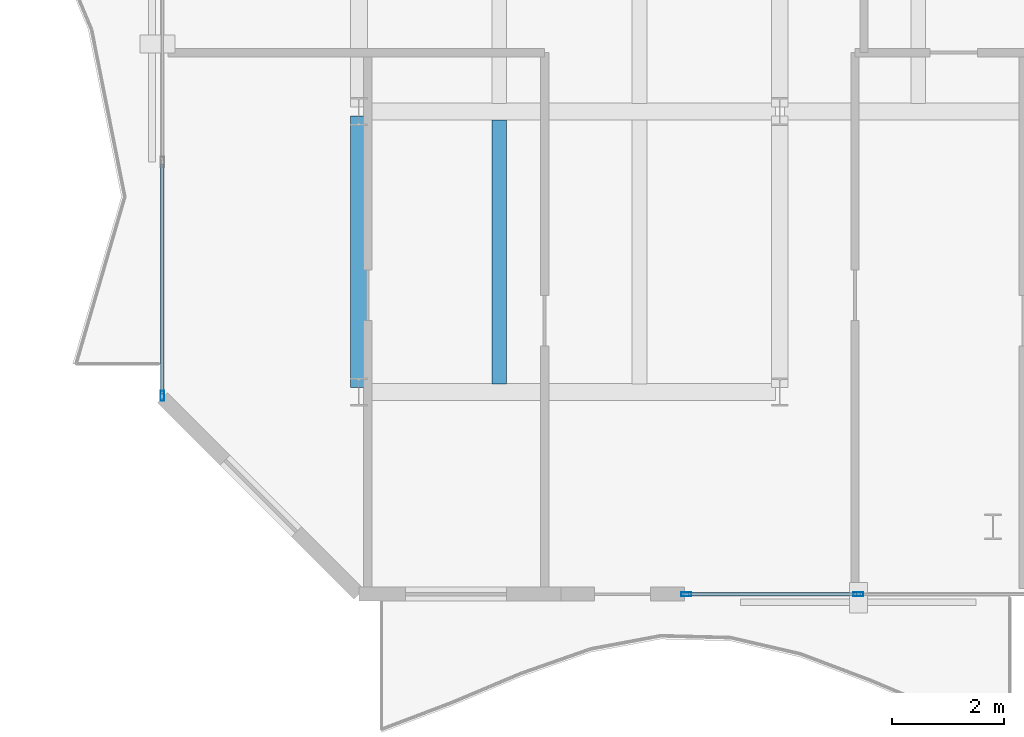
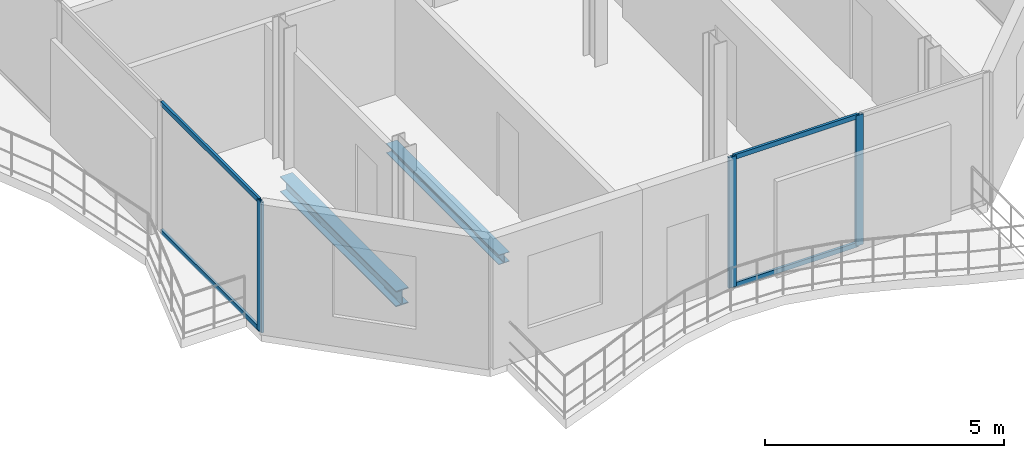
# One storey, part 3 of 23: 7 members, 2 beams, 2 elements without a shape of their own.
"""IFC4 building model written with IfcOpenShell, lengths in metres."""

from ifc_helpers import new_model, si_unit, direction, frame, origin, origin_2d, place, context, subcontext, project, spatial, hollow_rectangle, i_section, extrude, material, layer, layer_set, material_profile, profile_set, type_object, element, aggregate, save


model = new_model("IFC4")

# Units and contexts
model_context = context("Model", 3, precision=1e-05, world=origin(), true_north=direction((0.0, 1.0)))
body_context = subcontext(model_context, "Body", "Model", "MODEL_VIEW")
ifc_project = project(units=[si_unit("LENGTHUNIT", "METRE"), si_unit("AREAUNIT", "SQUARE_METRE"), si_unit("VOLUMEUNIT", "CUBIC_METRE"), si_unit("PLANEANGLEUNIT", "RADIAN"), si_unit("MASSUNIT", "GRAM", prefix="KILO")], contexts=[model_context])

# Site, building, storey
site_placement = place(None, origin())
site = spatial("IfcSite", under=ifc_project, at=site_placement, CompositionType="ELEMENT")
building_placement = place(site_placement, origin())
building = spatial("IfcBuilding", under=site, at=building_placement, Name="Catumbela Crestline Tower", CompositionType="ELEMENT")
storey_placement = place(building_placement, frame((0.0, 0.0, 193.8)))
storey = spatial("IfcBuildingStorey", under=building, at=storey_placement, Name="L50", CompositionType="ELEMENT", Elevation=193.8)

# Beams
ifc_material_1 = material(Name="Structural steel S355J2", Category="steel")
ifc_material_profile_1 = material_profile(ifc_material_1, i_section(OverallWidth=0.3, OverallDepth=0.4, WebThickness=0.0135, FlangeThickness=0.024, FilletRadius=0.027, at=origin_2d()), Name="HEB 400")
ifc_profile_set_1 = profile_set([ifc_material_profile_1], Name="Structural steel S355J2")
beam_type_1 = type_object("IfcBeamType", Name="BG-HEB400", PredefinedType="BEAM", material=ifc_profile_set_1)
beam_1_placement = place(storey_placement, frame((8.5, 8.68, -0.46), z_axis=(0.0, 1.0, 0.0), x_axis=(-1.0, 0.0, 0.0)))
element("IfcBeam", 1, at=beam_1_placement, inside=storey, type_object=beam_type_1, Name="L50 Beam BM-L50-WNS37", PredefinedType="BEAM", context=body_context, shape_type="SweptSolid", body=[
    extrude(i_section(OverallWidth=0.3, OverallDepth=0.4, WebThickness=0.0135, FlangeThickness=0.024, FilletRadius=0.027, at=origin_2d()), origin(), (0.0, 0.0, 1.0), 4.84),
])
ifc_material_profile_2 = material_profile(ifc_material_1, i_section(OverallWidth=0.26, OverallDepth=0.25, WebThickness=0.0075, FlangeThickness=0.0125, FilletRadius=0.024, at=origin_2d()), Name="HEA 260")
ifc_profile_set_2 = profile_set([ifc_material_profile_2], Name="Structural steel S355J2")
beam_type_2 = type_object("IfcBeamType", Name="BJ-HEA260", PredefinedType="JOIST", material=ifc_profile_set_2)
beam_2_placement = place(storey_placement, frame((11.0, 8.747, -0.385), z_axis=(0.0, 1.0, 0.0), x_axis=(-1.0, 0.0, 0.0)))
element("IfcBeam", 2, at=beam_2_placement, inside=storey, type_object=beam_type_2, Name="L50 Joist JS-L50-WG44", PredefinedType="JOIST", context=body_context, shape_type="SweptSolid", body=[
    extrude(i_section(OverallWidth=0.26, OverallDepth=0.25, WebThickness=0.0075, FlangeThickness=0.0125, FilletRadius=0.024, at=origin_2d()), origin(), (0.0, 0.0, 1.0), 4.706),
])

# Curtain wall, members
ifc_material_2 = material(Name="Aluminium alloy AW-6060-T66", Category="aluminium")
ifc_layer = layer(ifc_material_2, 0.18, Name="Aluminium alloy AW-6060-T66")
ifc_layer_set = layer_set([ifc_layer], Name="Aluminium alloy AW-6060-T66")
curtain_wall_type = type_object("IfcCurtainWallType", Name="CWU-Z3", PredefinedType="USERDEFINED", material=ifc_layer_set)
curtain_wall_1_placement = place(storey_placement, origin())
curtain_wall_1 = element("IfcCurtainWall", 3, at=curtain_wall_1_placement, inside=storey, type_object=curtain_wall_type, Name="L50 Unitised Curtain Wall CW-L50-E0S2", ObjectType="UNITISED", PredefinedType="USERDEFINED")
ifc_material_profile_3 = material_profile(ifc_material_2, hollow_rectangle(XDim=0.065, YDim=0.18, WallThickness=0.004, at=origin_2d()), Name="ALU 180x65x4")
ifc_profile_set_3 = profile_set([ifc_material_profile_3], Name="Aluminium alloy AW-6060-T66")
member_type_1 = type_object("IfcMemberType", Name="MUL-180X65", PredefinedType="MULLION", material=ifc_profile_set_3)
member_1_placement = place(storey_placement, frame((14.3325, 5.0, 0.0), z_axis=(0.0, 0.0, 1.0), x_axis=(0.0, 1.0, 0.0)))
member_1 = element("IfcMember", 4, at=member_1_placement, type_object=member_type_1, Name="CWU-Z3 mullion 1", PredefinedType="MULLION", context=body_context, shape_type="SweptSolid", body=[
    extrude(hollow_rectangle(XDim=0.065, YDim=0.18, WallThickness=0.004, at=origin_2d()), origin(), (0.0, 0.0, 1.0), 3.33),
])
member_2_placement = place(storey_placement, frame((17.4, 5.0, 0.0), z_axis=(0.0, 0.0, 1.0), x_axis=(0.0, 1.0, 0.0)))
member_2 = element("IfcMember", 5, at=member_2_placement, type_object=member_type_1, Name="CWU-Z3 mullion 2", PredefinedType="MULLION", context=body_context, shape_type="SweptSolid", body=[
    extrude(hollow_rectangle(XDim=0.065, YDim=0.18, WallThickness=0.004, at=origin_2d()), origin(), (0.0, 0.0, 1.0), 3.33),
])

# Curtain wall, member
curtain_wall_2_placement = place(storey_placement, origin())
curtain_wall_2 = element("IfcCurtainWall", 6, at=curtain_wall_2_placement, inside=storey, type_object=curtain_wall_type, Name="L50 Unitised Curtain Wall CW-L50-E9S2", ObjectType="UNITISED", PredefinedType="USERDEFINED")
member_3_placement = place(storey_placement, frame((5.0, 8.5325, 0.0), z_axis=(0.0, 0.0, 1.0), x_axis=(1.0, 0.0, 0.0)))
member_3 = element("IfcMember", 7, at=member_3_placement, type_object=member_type_1, Name="CWU-Z3 mullion 7", PredefinedType="MULLION", context=body_context, shape_type="SweptSolid", body=[
    extrude(hollow_rectangle(XDim=0.065, YDim=0.18, WallThickness=0.004, at=origin_2d()), origin(), (0.0, 0.0, 1.0), 3.33),
])

# Member
ifc_material_profile_4 = material_profile(ifc_material_2, hollow_rectangle(XDim=0.06, YDim=0.12, WallThickness=0.0035, at=origin_2d()), Name="ALU 120x60x3.5")
ifc_profile_set_4 = profile_set([ifc_material_profile_4], Name="Aluminium alloy AW-6060-T66")
member_type_2 = type_object("IfcMemberType", Name="TRN-120X60", PredefinedType="USERDEFINED", material=ifc_profile_set_4)
member_4_placement = place(storey_placement, frame((14.365, 5.0, 0.03), z_axis=(1.0, 0.0, 0.0), x_axis=(0.0, 1.0, 0.0)))
member_4 = element("IfcMember", 8, at=member_4_placement, type_object=member_type_2, Name="CWU-Z3 transom 1.1", ObjectType="TRANSOM", PredefinedType="USERDEFINED", context=body_context, shape_type="SweptSolid", body=[
    extrude(hollow_rectangle(XDim=0.06, YDim=0.12, WallThickness=0.0035, at=origin_2d()), origin(), (0.0, 0.0, 1.0), 3.0025),
])

member_5_placement = place(storey_placement, frame((14.365, 5.0, 3.3), z_axis=(1.0, 0.0, 0.0), x_axis=(0.0, 1.0, 0.0)))
member_5 = element("IfcMember", 9, at=member_5_placement, type_object=member_type_2, Name="CWU-Z3 transom 1.2", ObjectType="TRANSOM", PredefinedType="USERDEFINED", context=body_context, shape_type="SweptSolid", body=[
    extrude(hollow_rectangle(XDim=0.06, YDim=0.12, WallThickness=0.0035, at=origin_2d()), origin(), (0.0, 0.0, 1.0), 3.0025),
])

aggregate(curtain_wall_1, [member_1, member_2, member_4, member_5])

member_6_placement = place(storey_placement, frame((5.0, 12.6675, 0.03), z_axis=(0.0, -1.0, 0.0), x_axis=(1.0, 0.0, 0.0)))
member_6 = element("IfcMember", 10, at=member_6_placement, type_object=member_type_2, Name="CWU-Z3 transom 6.1", ObjectType="TRANSOM", PredefinedType="USERDEFINED", context=body_context, shape_type="SweptSolid", body=[
    extrude(hollow_rectangle(XDim=0.06, YDim=0.12, WallThickness=0.0035, at=origin_2d()), origin(), (0.0, 0.0, 1.0), 4.1025),
])

member_7_placement = place(storey_placement, frame((5.0, 12.6675, 3.3), z_axis=(0.0, -1.0, 0.0), x_axis=(1.0, 0.0, 0.0)))
member_7 = element("IfcMember", 11, at=member_7_placement, type_object=member_type_2, Name="CWU-Z3 transom 6.2", ObjectType="TRANSOM", PredefinedType="USERDEFINED", context=body_context, shape_type="SweptSolid", body=[
    extrude(hollow_rectangle(XDim=0.06, YDim=0.12, WallThickness=0.0035, at=origin_2d()), origin(), (0.0, 0.0, 1.0), 4.1025),
])

aggregate(curtain_wall_2, [member_3, member_6, member_7])

save(model, "model.ifc")
